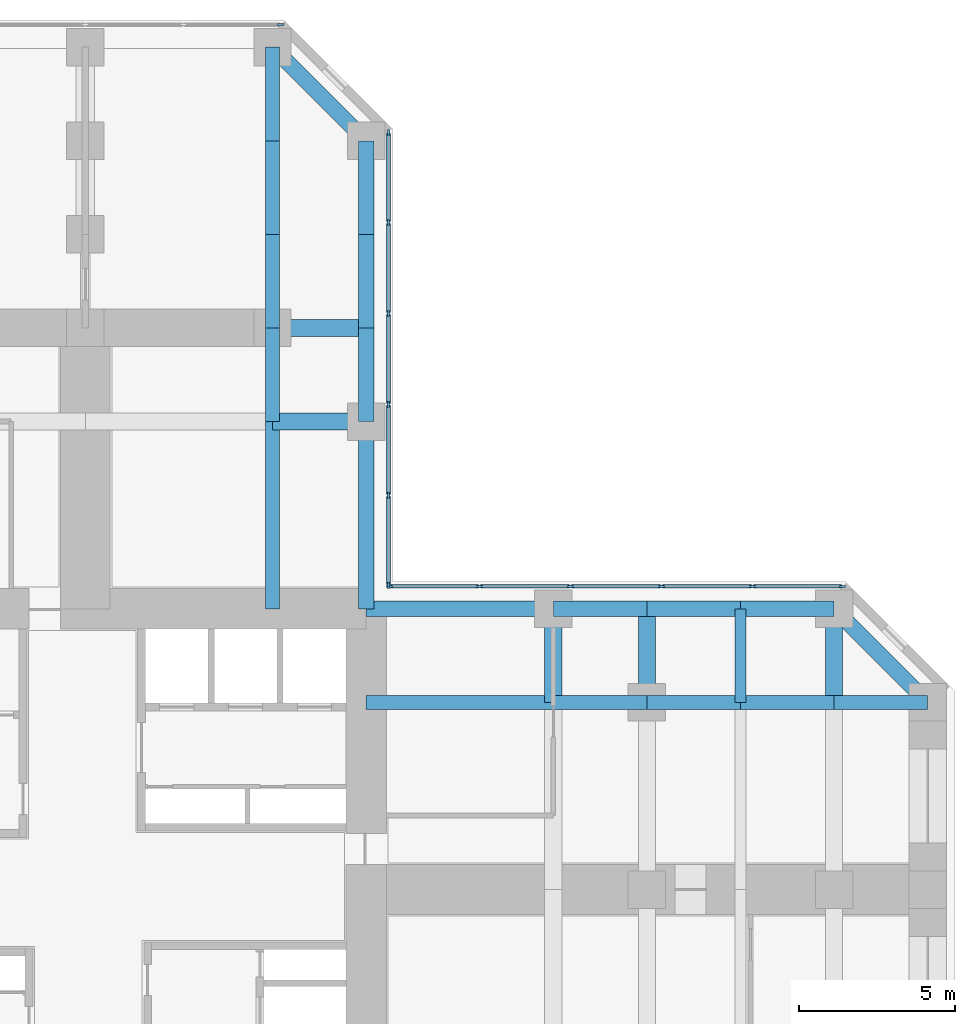
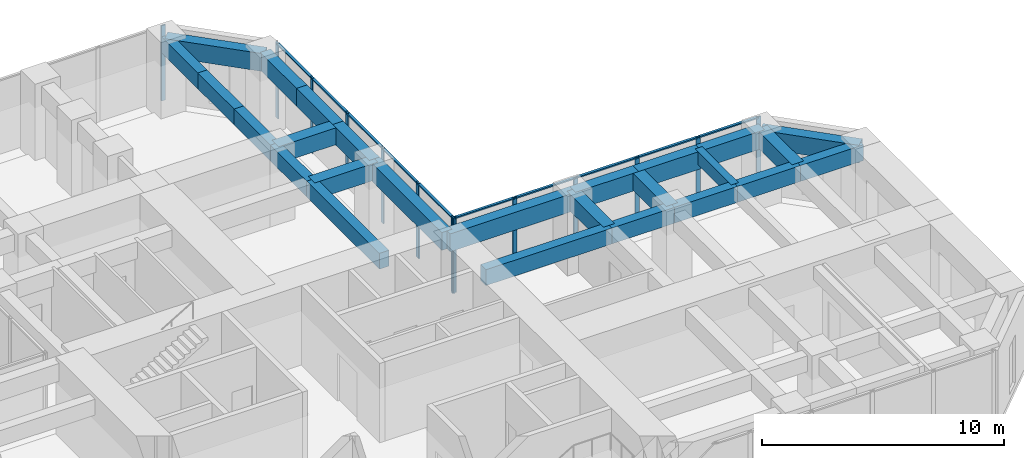
# One storey, part 6 of 12: 26 beams, 23 members, 3 elements without a shape of their own.
"""IFC4 building model written with IfcOpenShell, lengths in metres."""

from ifc_helpers import new_model, si_unit, direction, frame, origin, origin_2d, place, context, subcontext, project, spatial, rectangle, extrude, material, material_profile, profile_set, type_object, element, aggregate, save


model = new_model("IFC4")

# Units and contexts
model_context = context("Model", 3, precision=1e-05, world=origin(), true_north=direction((0.0, 1.0)))
body_context = subcontext(model_context, "Body", "Model", "MODEL_VIEW")
ifc_project = project(units=[si_unit("LENGTHUNIT", "METRE"), si_unit("AREAUNIT", "SQUARE_METRE"), si_unit("VOLUMEUNIT", "CUBIC_METRE"), si_unit("PLANEANGLEUNIT", "RADIAN"), si_unit("MASSUNIT", "GRAM", prefix="KILO")], contexts=[model_context])

# Site, building, storey
site_placement = place(None, origin())
site = spatial("IfcSite", under=ifc_project, at=site_placement, CompositionType="ELEMENT")
building_placement = place(site_placement, origin())
building = spatial("IfcBuilding", under=site, at=building_placement, Name="Torre Cruceta", CompositionType="ELEMENT")
storey_placement = place(building_placement, frame((0.0, 0.0, 39.5)))
storey = spatial("IfcBuildingStorey", under=building, at=storey_placement, Name="L09", CompositionType="ELEMENT", Elevation=39.5)

# Beams
ifc_material_1 = material(Name="Concrete G60 (fck 60 MPa)", Category="concrete")
ifc_material_profile_1 = material_profile(ifc_material_1, rectangle(XDim=0.449951171875, YDim=0.800048828125, at=origin_2d()), Name="RC 450X800")
ifc_profile_set_1 = profile_set([ifc_material_profile_1], Name="Concrete G60 (fck 60 MPa)")
beam_type_1 = type_object("IfcBeamType", Name="COLUMN LINE BEAM RC 450X800", PredefinedType="BEAM", material=ifc_profile_set_1)
beam_1_placement = place(storey_placement, frame((6.0, 9.0, 3.39990234375), z_axis=(0.0, 1.0, 0.0), x_axis=(-1.0, 0.0, 0.0)))
element("IfcBeam", 1, at=beam_1_placement, inside=storey, type_object=beam_type_1, Name="LB1 L09 N col- 1", PredefinedType="BEAM", context=body_context, shape_type="SweptSolid", body=[
    extrude(rectangle(XDim=0.449951171875, YDim=0.800048828125, at=origin_2d()), origin(), (0.0, 0.0, 1.0), 6.0),
])
for number, where, z_axis, x_axis, name in (
    (2, (6.0, 15.0, 3.39990234375), (0.0, 1.0, 0.0), (-1.0, 0.0, 0.0), "LB1 L09 N col- 2"),
    (3, (6.0, 18.0, 3.39990234375), (0.0, 1.0, 0.0), (-1.0, 0.0, 0.0), "LB1 L09 N col- 3"),
    (4, (6.0, 21.0, 3.39990234375), (0.0, 1.0, 0.0), (-1.0, 0.0, 0.0), "LB1 L09 N col- 4"),
    (5, (6.0, 24.0, 3.39990234375), (0.0, 1.0, 0.0), (-1.0, 0.0, 0.0), "LB1 L09 N col- 5"),
):
    element("IfcBeam", number, at=place(storey_placement, frame(where, z_axis=z_axis, x_axis=x_axis)), inside=storey, type_object=beam_type_1, Name=name, PredefinedType="BEAM", context=body_context, shape_type="SweptSolid", body=[
        extrude(rectangle(XDim=0.449951171875, YDim=0.800048828125, at=origin_2d()), origin(), (0.0, 0.0, 1.0), 3.0),
    ])
beam_2_placement = place(storey_placement, frame((9.0, 6.0, 3.39990234375), z_axis=(1.0, 0.0, 0.0), x_axis=(0.0, 1.0, 0.0)))
element("IfcBeam", 6, at=beam_2_placement, inside=storey, type_object=beam_type_1, Name="LB1 L09 E col+ 1", PredefinedType="BEAM", context=body_context, shape_type="SweptSolid", body=[
    extrude(rectangle(XDim=0.449951171875, YDim=0.800048828125, at=origin_2d()), origin(), (0.0, 0.0, 1.0), 6.0),
])
for number, where, z_axis, x_axis, name in (
    (7, (15.0, 6.0, 3.39990234375), (1.0, 0.0, 0.0), (0.0, 1.0, 0.0), "LB1 L09 E col+ 2"),
    (8, (18.0, 6.0, 3.39990234375), (1.0, 0.0, 0.0), (0.0, 1.0, 0.0), "LB1 L09 E col+ 3"),
    (9, (21.0, 6.0, 3.39990234375), (1.0, 0.0, 0.0), (0.0, 1.0, 0.0), "LB1 L09 E col+ 4"),
    (10, (24.0, 6.0, 3.39990234375), (1.0, 0.0, 0.0), (0.0, 1.0, 0.0), "LB1 L09 E col+ 5"),
):
    element("IfcBeam", number, at=place(storey_placement, frame(where, z_axis=z_axis, x_axis=x_axis)), inside=storey, type_object=beam_type_1, Name=name, PredefinedType="BEAM", context=body_context, shape_type="SweptSolid", body=[
        extrude(rectangle(XDim=0.449951171875, YDim=0.800048828125, at=origin_2d()), origin(), (0.0, 0.0, 1.0), 3.0),
    ])
ifc_material_2 = material(Name="Concrete G60 (fck 60 MPa)", Category="concrete")
ifc_material_profile_2 = material_profile(ifc_material_2, rectangle(XDim=0.550048828125, YDim=0.85009765625, at=origin_2d()), Name="RC 550X850")
ifc_profile_set_2 = profile_set([ifc_material_profile_2], Name="Concrete G60 (fck 60 MPa)")
beam_type_2 = type_object("IfcBeamType", Name="CROSS BEAM RC 550X850", PredefinedType="BEAM", material=ifc_profile_set_2)
for number, where, z_axis, x_axis, name in (
    (11, (9.0, 15.0, 3.375), (-1.0, 0.0, 0.0), (0.0, -1.0, 0.0), "GB4 L09 N cross15 1"),
    (12, (9.0, 18.0, 3.375), (-1.0, 0.0, 0.0), (0.0, -1.0, 0.0), "GB4 L09 N cross18 1"),
    (13, (15.0, 6.0, 3.375), (0.0, 1.0, 0.0), (-1.0, 0.0, 0.0), "GB4 L09 E cross15 4"),
    (14, (18.0, 6.0, 3.375), (0.0, 1.0, 0.0), (-1.0, 0.0, 0.0), "GB4 L09 E cross18 4"),
    (15, (24.0, 6.0, 3.375), (0.0, 1.0, 0.0), (-1.0, 0.0, 0.0), "GB4 L09 E cross24 4"),
):
    element("IfcBeam", number, at=place(storey_placement, frame(where, z_axis=z_axis, x_axis=x_axis)), inside=storey, type_object=beam_type_2, Name=name, PredefinedType="BEAM", context=body_context, shape_type="SweptSolid", body=[
        extrude(rectangle(XDim=0.550048828125, YDim=0.85009765625, at=origin_2d()), origin(), (0.0, 0.0, 1.0), 3.0),
    ])

# Curtain wall, members
ifc_material_3 = material(Name="Aluminium unitised curtain wall", Category="aluminium")
curtain_wall_type = type_object("IfcCurtainWallType", Name="CURTAIN WALL CW-A OFFICE LOW RISE", PredefinedType="USERDEFINED", material=ifc_material_3)
curtain_wall_1_placement = place(storey_placement, origin())
curtain_wall_1 = element("IfcCurtainWall", 16, at=curtain_wall_1_placement, inside=storey, type_object=curtain_wall_type, Name="CW-A L09 E side 04", ObjectType="UNITISED", PredefinedType="USERDEFINED")
ifc_material_4 = material(Name="Aluminium mullion", Category="aluminium")
ifc_material_profile_3 = material_profile(ifc_material_4, rectangle(XDim=0.06494140625, YDim=0.199951171875, at=origin_2d()), Name="AL 65X200")
ifc_profile_set_3 = profile_set([ifc_material_profile_3], Name="Aluminium mullion")
member_type_1 = type_object("IfcMemberType", Name="CW-A MULLION 65X200", PredefinedType="MULLION", material=ifc_profile_set_3)
member_1_placement = place(storey_placement, frame((24.265625, 9.719970703125, 0.0), z_axis=(0.0, 0.0, 1.0), x_axis=(0.0, -1.0, 0.0)))
member_1 = element("IfcMember", 17, at=member_1_placement, type_object=member_type_1, Name="CW-A mullion 1", PredefinedType="MULLION", context=body_context, shape_type="SweptSolid", body=[
    extrude(rectangle(XDim=0.06494140625, YDim=0.199951171875, at=origin_2d()), origin(), (0.0, 0.0, 1.0), 3.800048828125),
])
member_2_placement = place(storey_placement, frame((21.382568359375, 9.719970703125, 0.0), z_axis=(0.0, 0.0, 1.0), x_axis=(0.0, -1.0, 0.0)))
member_2 = element("IfcMember", 18, at=member_2_placement, type_object=member_type_1, Name="CW-A mullion 2", PredefinedType="MULLION", context=body_context, shape_type="SweptSolid", body=[
    extrude(rectangle(XDim=0.06494140625, YDim=0.199951171875, at=origin_2d()), origin(), (0.0, 0.0, 1.0), 3.800048828125),
])
member_3_placement = place(storey_placement, frame((18.467041015625, 9.719970703125, 0.0), z_axis=(0.0, 0.0, 1.0), x_axis=(0.0, -1.0, 0.0)))
member_3 = element("IfcMember", 19, at=member_3_placement, type_object=member_type_1, Name="CW-A mullion 3", PredefinedType="MULLION", context=body_context, shape_type="SweptSolid", body=[
    extrude(rectangle(XDim=0.06494140625, YDim=0.199951171875, at=origin_2d()), origin(), (0.0, 0.0, 1.0), 3.800048828125),
])
member_4_placement = place(storey_placement, frame((15.55126953125, 9.719970703125, 0.0), z_axis=(0.0, 0.0, 1.0), x_axis=(0.0, -1.0, 0.0)))
member_4 = element("IfcMember", 20, at=member_4_placement, type_object=member_type_1, Name="CW-A mullion 4", PredefinedType="MULLION", context=body_context, shape_type="SweptSolid", body=[
    extrude(rectangle(XDim=0.06494140625, YDim=0.199951171875, at=origin_2d()), origin(), (0.0, 0.0, 1.0), 3.800048828125),
])
member_5_placement = place(storey_placement, frame((12.6357421875, 9.719970703125, 0.0), z_axis=(0.0, 0.0, 1.0), x_axis=(0.0, -1.0, 0.0)))
member_5 = element("IfcMember", 21, at=member_5_placement, type_object=member_type_1, Name="CW-A mullion 5", PredefinedType="MULLION", context=body_context, shape_type="SweptSolid", body=[
    extrude(rectangle(XDim=0.06494140625, YDim=0.199951171875, at=origin_2d()), origin(), (0.0, 0.0, 1.0), 3.800048828125),
])
member_6_placement = place(storey_placement, frame((9.75244140625, 9.719970703125, 0.0), z_axis=(0.0, 0.0, 1.0), x_axis=(0.0, -1.0, 0.0)))
member_6 = element("IfcMember", 22, at=member_6_placement, type_object=member_type_1, Name="CW-A mullion 6", PredefinedType="MULLION", context=body_context, shape_type="SweptSolid", body=[
    extrude(rectangle(XDim=0.06494140625, YDim=0.199951171875, at=origin_2d()), origin(), (0.0, 0.0, 1.0), 3.800048828125),
])

curtain_wall_2_placement = place(storey_placement, origin())
curtain_wall_2 = element("IfcCurtainWall", 23, at=curtain_wall_2_placement, inside=storey, type_object=curtain_wall_type, Name="CW-A L09 N side 05", ObjectType="UNITISED", PredefinedType="USERDEFINED")
member_7_placement = place(storey_placement, frame((9.719970703125, 9.75244140625, 0.0), z_axis=(0.0, 0.0, 1.0), x_axis=(-1.0, 0.0, 0.0)))
member_7 = element("IfcMember", 24, at=member_7_placement, type_object=member_type_1, Name="CW-A mullion 1", PredefinedType="MULLION", context=body_context, shape_type="SweptSolid", body=[
    extrude(rectangle(XDim=0.06494140625, YDim=0.199951171875, at=origin_2d()), origin(), (0.0, 0.0, 1.0), 3.800048828125),
])
member_8_placement = place(storey_placement, frame((9.719970703125, 12.6357421875, 0.0), z_axis=(0.0, 0.0, 1.0), x_axis=(-1.0, 0.0, 0.0)))
member_8 = element("IfcMember", 25, at=member_8_placement, type_object=member_type_1, Name="CW-A mullion 2", PredefinedType="MULLION", context=body_context, shape_type="SweptSolid", body=[
    extrude(rectangle(XDim=0.06494140625, YDim=0.199951171875, at=origin_2d()), origin(), (0.0, 0.0, 1.0), 3.800048828125),
])
member_9_placement = place(storey_placement, frame((9.719970703125, 15.55126953125, 0.0), z_axis=(0.0, 0.0, 1.0), x_axis=(-1.0, 0.0, 0.0)))
member_9 = element("IfcMember", 26, at=member_9_placement, type_object=member_type_1, Name="CW-A mullion 3", PredefinedType="MULLION", context=body_context, shape_type="SweptSolid", body=[
    extrude(rectangle(XDim=0.06494140625, YDim=0.199951171875, at=origin_2d()), origin(), (0.0, 0.0, 1.0), 3.800048828125),
])
member_10_placement = place(storey_placement, frame((9.719970703125, 18.467041015625, 0.0), z_axis=(0.0, 0.0, 1.0), x_axis=(-1.0, 0.0, 0.0)))
member_10 = element("IfcMember", 27, at=member_10_placement, type_object=member_type_1, Name="CW-A mullion 4", PredefinedType="MULLION", context=body_context, shape_type="SweptSolid", body=[
    extrude(rectangle(XDim=0.06494140625, YDim=0.199951171875, at=origin_2d()), origin(), (0.0, 0.0, 1.0), 3.800048828125),
])
member_11_placement = place(storey_placement, frame((9.719970703125, 21.382568359375, 0.0), z_axis=(0.0, 0.0, 1.0), x_axis=(-1.0, 0.0, 0.0)))
member_11 = element("IfcMember", 28, at=member_11_placement, type_object=member_type_1, Name="CW-A mullion 5", PredefinedType="MULLION", context=body_context, shape_type="SweptSolid", body=[
    extrude(rectangle(XDim=0.06494140625, YDim=0.199951171875, at=origin_2d()), origin(), (0.0, 0.0, 1.0), 3.800048828125),
])
member_12_placement = place(storey_placement, frame((9.719970703125, 24.265625, 0.0), z_axis=(0.0, 0.0, 1.0), x_axis=(-1.0, 0.0, 0.0)))
member_12 = element("IfcMember", 29, at=member_12_placement, type_object=member_type_1, Name="CW-A mullion 6", PredefinedType="MULLION", context=body_context, shape_type="SweptSolid", body=[
    extrude(rectangle(XDim=0.06494140625, YDim=0.199951171875, at=origin_2d()), origin(), (0.0, 0.0, 1.0), 3.800048828125),
])

# Curtain wall, member
curtain_wall_3_placement = place(storey_placement, origin())
curtain_wall_3 = element("IfcCurtainWall", 30, at=curtain_wall_3_placement, inside=storey, type_object=curtain_wall_type, Name="CW-A L09 N tip 07", ObjectType="UNITISED", PredefinedType="USERDEFINED")
member_13_placement = place(storey_placement, frame((6.265625, 27.719970703125, 0.0), z_axis=(0.0, 0.0, 1.0), x_axis=(0.0, -1.0, 0.0)))
member_13 = element("IfcMember", 31, at=member_13_placement, type_object=member_type_1, Name="CW-A mullion 1", PredefinedType="MULLION", context=body_context, shape_type="SweptSolid", body=[
    extrude(rectangle(XDim=0.06494140625, YDim=0.199951171875, at=origin_2d()), origin(), (0.0, 0.0, 1.0), 3.800048828125),
])
aggregate(curtain_wall_3, [member_13])

# Member
ifc_material_5 = material(Name="Aluminium transom", Category="aluminium")
ifc_material_profile_4 = material_profile(ifc_material_5, rectangle(XDim=0.1201171875, YDim=0.06494140625, at=origin_2d()), Name="AL 120X65")
ifc_profile_set_4 = profile_set([ifc_material_profile_4], Name="Aluminium transom")
member_type_2 = type_object("IfcMemberType", Name="CW-A TRANSOM 65X120", PredefinedType="USERDEFINED", material=ifc_profile_set_4)
member_14_placement = place(storey_placement, frame((24.233154296875, 9.719970703125, 3.767578125), z_axis=(-1.0, 0.0, 0.0), x_axis=(0.0, -1.0, 0.0)))
member_14 = element("IfcMember", 32, at=member_14_placement, type_object=member_type_2, Name="CW-A transom 1", ObjectType="TRANSOM", PredefinedType="USERDEFINED", context=body_context, shape_type="SweptSolid", body=[
    extrude(rectangle(XDim=0.1201171875, YDim=0.06494140625, at=origin_2d()), origin(), (0.0, 0.0, 1.0), 2.818115234375),
])

member_15_placement = place(storey_placement, frame((21.35009765625, 9.719970703125, 3.767578125), z_axis=(-1.0, 0.0, 0.0), x_axis=(0.0, -1.0, 0.0)))
member_15 = element("IfcMember", 33, at=member_15_placement, type_object=member_type_2, Name="CW-A transom 2", ObjectType="TRANSOM", PredefinedType="USERDEFINED", context=body_context, shape_type="SweptSolid", body=[
    extrude(rectangle(XDim=0.1201171875, YDim=0.06494140625, at=origin_2d()), origin(), (0.0, 0.0, 1.0), 2.8505859375),
])

member_16_placement = place(storey_placement, frame((18.434326171875, 9.719970703125, 3.767578125), z_axis=(-1.0, 0.0, 0.0), x_axis=(0.0, -1.0, 0.0)))
member_16 = element("IfcMember", 34, at=member_16_placement, type_object=member_type_2, Name="CW-A transom 3", ObjectType="TRANSOM", PredefinedType="USERDEFINED", context=body_context, shape_type="SweptSolid", body=[
    extrude(rectangle(XDim=0.1201171875, YDim=0.06494140625, at=origin_2d()), origin(), (0.0, 0.0, 1.0), 2.8505859375),
])

member_17_placement = place(storey_placement, frame((15.518798828125, 9.719970703125, 3.767578125), z_axis=(-1.0, 0.0, 0.0), x_axis=(0.0, -1.0, 0.0)))
member_17 = element("IfcMember", 35, at=member_17_placement, type_object=member_type_2, Name="CW-A transom 4", ObjectType="TRANSOM", PredefinedType="USERDEFINED", context=body_context, shape_type="SweptSolid", body=[
    extrude(rectangle(XDim=0.1201171875, YDim=0.06494140625, at=origin_2d()), origin(), (0.0, 0.0, 1.0), 2.8505859375),
])

member_18_placement = place(storey_placement, frame((12.60302734375, 9.719970703125, 3.767578125), z_axis=(-1.0, 0.0, 0.0), x_axis=(0.0, -1.0, 0.0)))
member_18 = element("IfcMember", 36, at=member_18_placement, type_object=member_type_2, Name="CW-A transom 5", ObjectType="TRANSOM", PredefinedType="USERDEFINED", context=body_context, shape_type="SweptSolid", body=[
    extrude(rectangle(XDim=0.1201171875, YDim=0.06494140625, at=origin_2d()), origin(), (0.0, 0.0, 1.0), 2.818115234375),
])

aggregate(curtain_wall_1, [member_1, member_2, member_3, member_4, member_5, member_6, member_14, member_15, member_16, member_17, member_18])

member_19_placement = place(storey_placement, frame((9.719970703125, 9.784912109375, 3.767578125), z_axis=(0.0, 1.0, 0.0), x_axis=(-1.0, 0.0, 0.0)))
member_19 = element("IfcMember", 37, at=member_19_placement, type_object=member_type_2, Name="CW-A transom 1", ObjectType="TRANSOM", PredefinedType="USERDEFINED", context=body_context, shape_type="SweptSolid", body=[
    extrude(rectangle(XDim=0.1201171875, YDim=0.06494140625, at=origin_2d()), origin(), (0.0, 0.0, 1.0), 2.818115234375),
])

member_20_placement = place(storey_placement, frame((9.719970703125, 12.668212890625, 3.767578125), z_axis=(0.0, 1.0, 0.0), x_axis=(-1.0, 0.0, 0.0)))
member_20 = element("IfcMember", 38, at=member_20_placement, type_object=member_type_2, Name="CW-A transom 2", ObjectType="TRANSOM", PredefinedType="USERDEFINED", context=body_context, shape_type="SweptSolid", body=[
    extrude(rectangle(XDim=0.1201171875, YDim=0.06494140625, at=origin_2d()), origin(), (0.0, 0.0, 1.0), 2.8505859375),
])

member_21_placement = place(storey_placement, frame((9.719970703125, 15.583740234375, 3.767578125), z_axis=(0.0, 1.0, 0.0), x_axis=(-1.0, 0.0, 0.0)))
member_21 = element("IfcMember", 39, at=member_21_placement, type_object=member_type_2, Name="CW-A transom 3", ObjectType="TRANSOM", PredefinedType="USERDEFINED", context=body_context, shape_type="SweptSolid", body=[
    extrude(rectangle(XDim=0.1201171875, YDim=0.06494140625, at=origin_2d()), origin(), (0.0, 0.0, 1.0), 2.8505859375),
])

member_22_placement = place(storey_placement, frame((9.719970703125, 18.49951171875, 3.767578125), z_axis=(0.0, 1.0, 0.0), x_axis=(-1.0, 0.0, 0.0)))
member_22 = element("IfcMember", 40, at=member_22_placement, type_object=member_type_2, Name="CW-A transom 4", ObjectType="TRANSOM", PredefinedType="USERDEFINED", context=body_context, shape_type="SweptSolid", body=[
    extrude(rectangle(XDim=0.1201171875, YDim=0.06494140625, at=origin_2d()), origin(), (0.0, 0.0, 1.0), 2.8505859375),
])

member_23_placement = place(storey_placement, frame((9.719970703125, 21.4150390625, 3.767578125), z_axis=(0.0, 1.0, 0.0), x_axis=(-1.0, 0.0, 0.0)))
member_23 = element("IfcMember", 41, at=member_23_placement, type_object=member_type_2, Name="CW-A transom 5", ObjectType="TRANSOM", PredefinedType="USERDEFINED", context=body_context, shape_type="SweptSolid", body=[
    extrude(rectangle(XDim=0.1201171875, YDim=0.06494140625, at=origin_2d()), origin(), (0.0, 0.0, 1.0), 2.818115234375),
])

aggregate(curtain_wall_2, [member_7, member_8, member_9, member_10, member_11, member_12, member_19, member_20, member_21, member_22, member_23])

# Beams
ifc_material_6 = material(Name="Concrete G60 (fck 60 MPa)", Category="concrete")
ifc_material_profile_5 = material_profile(ifc_material_6, rectangle(XDim=0.35009765625, YDim=0.64990234375, at=origin_2d()), Name="RC 350X650")
ifc_profile_set_5 = profile_set([ifc_material_profile_5], Name="Concrete G60 (fck 60 MPa)")
beam_type_3 = type_object("IfcBeamType", Name="SECONDARY BEAM RC 350X650", PredefinedType="JOIST", material=ifc_profile_set_5)
beam_3_placement = place(storey_placement, frame((21.0, 6.0, 3.47509765625), z_axis=(0.0, 1.0, 0.0), x_axis=(-1.0, 0.0, 0.0)))
element("IfcBeam", 42, at=beam_3_placement, inside=storey, type_object=beam_type_3, Name="JB3 L09 E sec21 4", PredefinedType="JOIST", context=body_context, shape_type="SweptSolid", body=[
    extrude(rectangle(XDim=0.35009765625, YDim=0.64990234375, at=origin_2d()), origin(), (0.0, 0.0, 1.0), 3.0),
])
ifc_material_7 = material(Name="Concrete G60 (fck 60 MPa)", Category="concrete")
ifc_material_profile_6 = material_profile(ifc_material_7, rectangle(XDim=0.5, YDim=0.89990234375, at=origin_2d()), Name="RC 500X900")
ifc_profile_set_6 = profile_set([ifc_material_profile_6], Name="Concrete G60 (fck 60 MPa)")
beam_type_4 = type_object("IfcBeamType", Name="SPANDREL BEAM RC 500X900", PredefinedType="SPANDREL", material=ifc_profile_set_6)
beam_4_placement = place(storey_placement, frame((9.0, 9.0, 3.35009765625), z_axis=(0.0, 1.0, 0.0), x_axis=(-1.0, 0.0, 0.0)))
element("IfcBeam", 43, at=beam_4_placement, inside=storey, type_object=beam_type_4, Name="SB4 L09 N side- 1", PredefinedType="SPANDREL", context=body_context, shape_type="SweptSolid", body=[
    extrude(rectangle(XDim=0.5, YDim=0.89990234375, at=origin_2d()), origin(), (0.0, 0.0, 1.0), 6.0),
])
for number, where, z_axis, x_axis, name in (
    (44, (9.0, 15.0, 3.35009765625), (0.0, 1.0, 0.0), (-1.0, 0.0, 0.0), "SB4 L09 N side- 2"),
    (45, (9.0, 18.0, 3.35009765625), (0.0, 1.0, 0.0), (-1.0, 0.0, 0.0), "SB4 L09 N side- 3"),
    (46, (9.0, 21.0, 3.35009765625), (0.0, 1.0, 0.0), (-1.0, 0.0, 0.0), "SB4 L09 N side- 4"),
):
    element("IfcBeam", number, at=place(storey_placement, frame(where, z_axis=z_axis, x_axis=x_axis)), inside=storey, type_object=beam_type_4, Name=name, PredefinedType="SPANDREL", context=body_context, shape_type="SweptSolid", body=[
        extrude(rectangle(XDim=0.5, YDim=0.89990234375, at=origin_2d()), origin(), (0.0, 0.0, 1.0), 3.0),
    ])
beam_5_placement = place(storey_placement, frame((9.0, 24.0, 3.35009765625), z_axis=(-0.707106781187, 0.707106781187, 0.0), x_axis=(-0.707106781187, -0.707106781187, 0.0)))
element("IfcBeam", 47, at=beam_5_placement, inside=storey, type_object=beam_type_4, Name="SB4 L09 N side- 5", PredefinedType="SPANDREL", context=body_context, shape_type="SweptSolid", body=[
    extrude(rectangle(XDim=0.5, YDim=0.89990234375, at=origin_2d()), origin(), (0.0, 0.0, 1.0), 4.24267578125),
])
beam_6_placement = place(storey_placement, frame((9.0, 9.0, 3.35009765625), z_axis=(1.0, 0.0, 0.0), x_axis=(0.0, 1.0, 0.0)))
element("IfcBeam", 48, at=beam_6_placement, inside=storey, type_object=beam_type_4, Name="SB4 L09 E side+ 1", PredefinedType="SPANDREL", context=body_context, shape_type="SweptSolid", body=[
    extrude(rectangle(XDim=0.5, YDim=0.89990234375, at=origin_2d()), origin(), (0.0, 0.0, 1.0), 6.0),
])
for number, where, z_axis, x_axis, name in (
    (49, (15.0, 9.0, 3.35009765625), (1.0, 0.0, 0.0), (0.0, 1.0, 0.0), "SB4 L09 E side+ 2"),
    (50, (18.0, 9.0, 3.35009765625), (1.0, 0.0, 0.0), (0.0, 1.0, 0.0), "SB4 L09 E side+ 3"),
    (51, (21.0, 9.0, 3.35009765625), (1.0, 0.0, 0.0), (0.0, 1.0, 0.0), "SB4 L09 E side+ 4"),
):
    element("IfcBeam", number, at=place(storey_placement, frame(where, z_axis=z_axis, x_axis=x_axis)), inside=storey, type_object=beam_type_4, Name=name, PredefinedType="SPANDREL", context=body_context, shape_type="SweptSolid", body=[
        extrude(rectangle(XDim=0.5, YDim=0.89990234375, at=origin_2d()), origin(), (0.0, 0.0, 1.0), 3.0),
    ])
beam_7_placement = place(storey_placement, frame((24.0, 9.0, 3.35009765625), z_axis=(0.707106781187, -0.707106781187, 0.0), x_axis=(0.707106781187, 0.707106781187, 0.0)))
element("IfcBeam", 52, at=beam_7_placement, inside=storey, type_object=beam_type_4, Name="SB4 L09 E side+ 5", PredefinedType="SPANDREL", context=body_context, shape_type="SweptSolid", body=[
    extrude(rectangle(XDim=0.5, YDim=0.89990234375, at=origin_2d()), origin(), (0.0, 0.0, 1.0), 4.24267578125),
])

save(model, "model.ifc")
